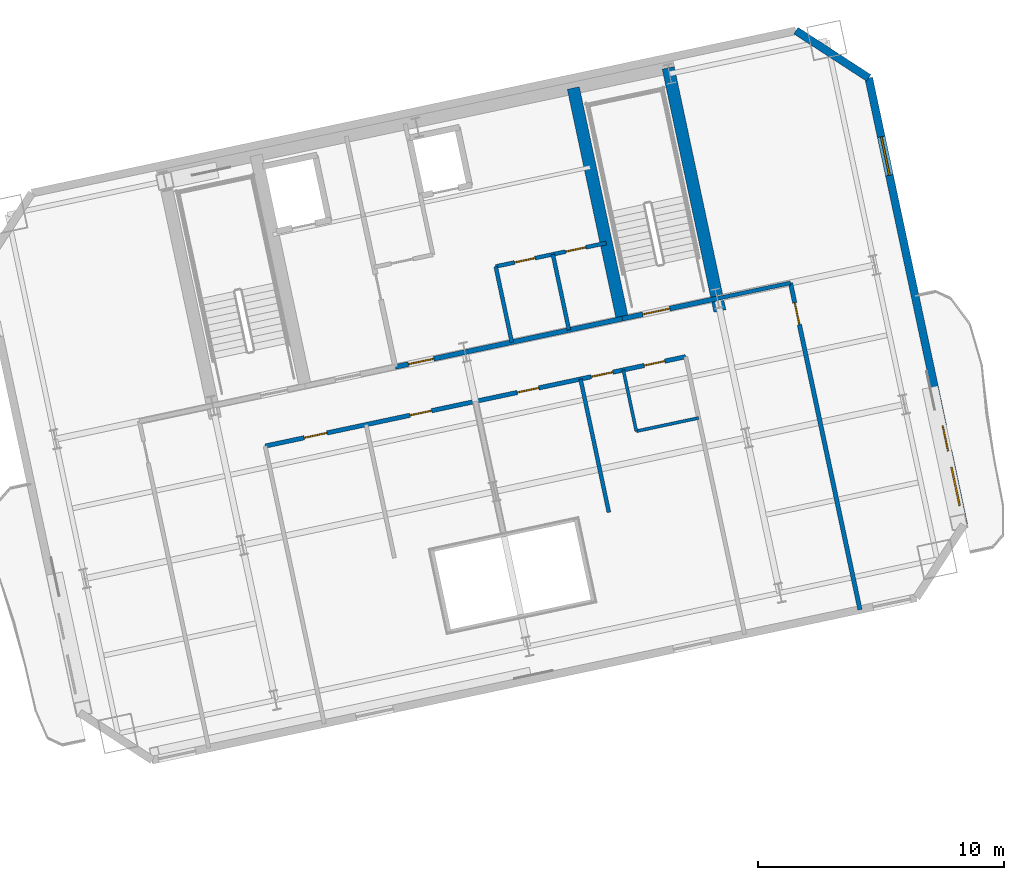
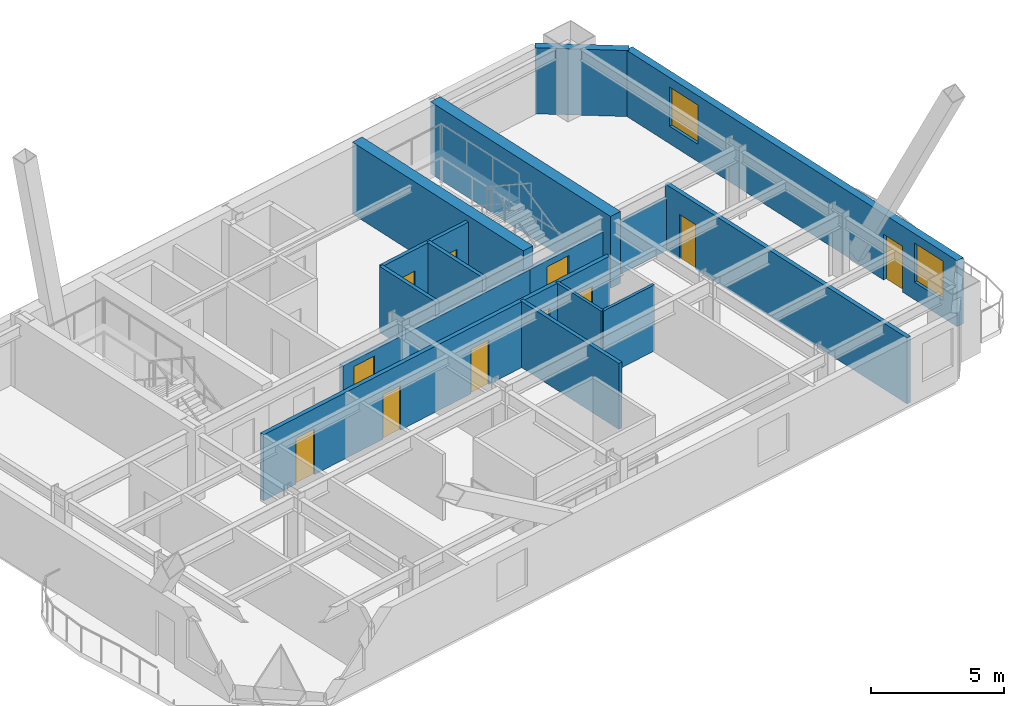
# One storey, part 9 of 14: 15 walls, 11 doors, 2 windows, 13 openings.
"""IFC4 building model written with IfcOpenShell, lengths in metres."""

from ifc_helpers import new_model, si_unit, direction, frame, frame_2d, origin, place, context, subcontext, project, spatial, rectangle, extrude, material, layer, layer_set, type_object, element, fill, save


model = new_model("IFC4")

# Units and contexts
model_context = context("Model", 3, precision=1e-05, world=origin(), true_north=direction((0.0, 1.0)))
body_context = subcontext(model_context, "Body", "Model", "MODEL_VIEW")
ifc_project = project(units=[si_unit("LENGTHUNIT", "METRE"), si_unit("AREAUNIT", "SQUARE_METRE"), si_unit("VOLUMEUNIT", "CUBIC_METRE"), si_unit("PLANEANGLEUNIT", "RADIAN"), si_unit("MASSUNIT", "GRAM", prefix="KILO")], contexts=[model_context])

# Site, building, storey
site_placement = place(None, origin())
site = spatial("IfcSite", under=ifc_project, at=site_placement, CompositionType="ELEMENT")
building_placement = place(site_placement, origin())
building = spatial("IfcBuilding", under=site, at=building_placement, Name="Haevon Station Towers", CompositionType="ELEMENT")
storey_placement = place(building_placement, frame((0.0, 0.0, 123.0)))
storey = spatial("IfcBuildingStorey", under=building, at=storey_placement, Name="L33", CompositionType="ELEMENT", Elevation=123.0)

# Wall, opening, door
ifc_material_1 = material(Name="Gypsum board on steel stud", Category="steel")
ifc_layer_1 = layer(ifc_material_1, 0.179931640625)
ifc_layer_set_1 = layer_set([ifc_layer_1], Name="Gypsum board on steel stud")
wall_type_1 = type_object("IfcWallType", Name="WL-ACU180", PredefinedType="PARTITIONING", material=ifc_layer_set_1)
wall_1_placement = place(storey_placement, frame((125.1044921875, 29.139892578125, 0.0), z_axis=(0.0, 0.0, 1.0), x_axis=(-0.207915436261, 0.978146804608, 0.0)))
wall_1 = element("IfcWall", 1, at=wall_1_placement, inside=storey, type_object=wall_type_1, Name="WL-T2PT-L33-06", PredefinedType="PARTITIONING", context=body_context, shape_type="SweptSolid", body=[
    extrude(rectangle(XDim=13.599853515625, YDim=0.179931640625, at=frame_2d((6.7998046875, 0.0))), origin(), (0.0, 0.0, 1.0), 3.030029296875),
])
opening_1_placement = place(wall_1_placement, frame((11.8701171875, 0.0, 0.0)))
opening_1 = element("IfcOpeningElement", 2, at=opening_1_placement, cuts=wall_1, Name="Opening DR-WL-T2PT-L33-06-01", PredefinedType="OPENING", context=body_context, shape_type="SweptSolid", body=[
    extrude(rectangle(XDim=0.89990234375, YDim=2.050048828125, at=frame_2d((0.449951171875, 1.02490234375))), frame((0.0, 0.099853515625, 0.0), z_axis=(0.0, -1.0, 0.0), x_axis=(1.0, 0.0, 0.0)), (0.0, 0.0, 1.0), 0.199951171875),
])
ifc_material_2 = material(Name="Engineered oak timber", Category="wood")
door_type_1 = type_object("IfcDoorType", Name="DR-INT-900", OperationType="NOTDEFINED", PredefinedType="DOOR", material=ifc_material_2)
door_1_placement = place(opening_1_placement, origin())
door_1 = element("IfcDoor", 3, at=door_1_placement, inside=storey, type_object=door_type_1, Name="L33 Tower 2 Room Door 6-1", OperationType="SINGLE_SWING_LEFT", OverallHeight=2.050048828125, OverallWidth=0.89990234375, PredefinedType="DOOR", context=body_context, shape_type="SweptSolid", body=[
    extrude(rectangle(XDim=0.89990234375, YDim=2.050048828125, at=frame_2d((0.449951171875, 1.02490234375))), frame((0.0, 0.02490234375, 0.0), z_axis=(0.0, -1.0, 0.0), x_axis=(1.0, 0.0, 0.0)), (0.0, 0.0, 1.0), 0.050048828125),
])
fill(opening_1, door_1)

# Wall, openings, doors
wall_2_placement = place(storey_placement, frame((100.890380859375, 35.801025390625, 0.0), z_axis=(0.0, 0.0, 1.0), x_axis=(0.978147538907, 0.207911981691, 0.0)))
wall_2 = element("IfcWall", 4, at=wall_2_placement, inside=storey, type_object=wall_type_1, Name="WL-T2PT-L33-18", PredefinedType="PARTITIONING", context=body_context, shape_type="SweptSolid", body=[
    extrude(rectangle(XDim=17.499755859375, YDim=0.179931640625, at=frame_2d((8.75, 0.0))), origin(), (0.0, 0.0, 1.0), 3.030029296875),
])
opening_2_placement = place(wall_2_placement, frame((1.625, 0.0, 0.0)))
opening_2 = element("IfcOpeningElement", 5, at=opening_2_placement, cuts=wall_2, Name="Opening DR-WL-T2PT-L33-18-01", PredefinedType="OPENING", context=body_context, shape_type="SweptSolid", body=[
    extrude(rectangle(XDim=0.949951171875, YDim=2.10009765625, at=frame_2d((0.47509765625, 1.050048828125))), frame((0.0, 0.099853515625, 0.0), z_axis=(0.0, -1.0, 0.0), x_axis=(1.0, 0.0, 0.0)), (0.0, 0.0, 1.0), 0.199951171875),
])
opening_3_placement = place(wall_2_placement, frame((6.02490234375, 0.0, 0.0)))
opening_3 = element("IfcOpeningElement", 6, at=opening_3_placement, cuts=wall_2, Name="Opening DR-WL-T2PT-L33-18-02", PredefinedType="OPENING", context=body_context, shape_type="SweptSolid", body=[
    extrude(rectangle(XDim=0.89990234375, YDim=2.050048828125, at=frame_2d((0.449951171875, 1.02490234375))), frame((0.0, 0.099853515625, 0.0), z_axis=(0.0, -1.0, 0.0), x_axis=(1.0, 0.0, 0.0)), (0.0, 0.0, 1.0), 0.199951171875),
])
opening_4_placement = place(wall_2_placement, frame((10.488037109375, 0.0, 0.0)))
opening_4 = element("IfcOpeningElement", 7, at=opening_4_placement, cuts=wall_2, Name="Opening DR-WL-T2PT-L33-18-03", PredefinedType="OPENING", context=body_context, shape_type="SweptSolid", body=[
    extrude(rectangle(XDim=0.89990234375, YDim=2.050048828125, at=frame_2d((0.449951171875, 1.02490234375))), frame((0.0, 0.099853515625, 0.0), z_axis=(0.0, -1.0, 0.0), x_axis=(1.0, 0.0, 0.0)), (0.0, 0.0, 1.0), 0.199951171875),
])
opening_5_placement = place(wall_2_placement, frame((15.777099609375, 0.0, 0.0)))
opening_5 = element("IfcOpeningElement", 8, at=opening_5_placement, cuts=wall_2, Name="Opening DR-WL-T2PT-L33-18-04", PredefinedType="OPENING", context=body_context, shape_type="SweptSolid", body=[
    extrude(rectangle(XDim=0.85009765625, YDim=2.050048828125, at=frame_2d((0.425048828125, 1.02490234375))), frame((0.0, 0.099853515625, 0.0), z_axis=(0.0, -1.0, 0.0), x_axis=(1.0, 0.0, 0.0)), (0.0, 0.0, 1.0), 0.199951171875),
])
opening_6_placement = place(wall_2_placement, frame((13.56494140625, 0.0, 0.0)))
opening_6 = element("IfcOpeningElement", 9, at=opening_6_placement, cuts=wall_2, Name="Opening DR-WL-T2PT-L33-18-05", PredefinedType="OPENING", context=body_context, shape_type="SweptSolid", body=[
    extrude(rectangle(XDim=0.89990234375, YDim=2.050048828125, at=frame_2d((0.449951171875, 1.02490234375))), frame((0.0, 0.099853515625, 0.0), z_axis=(0.0, -1.0, 0.0), x_axis=(1.0, 0.0, 0.0)), (0.0, 0.0, 1.0), 0.199951171875),
])
door_type_2 = type_object("IfcDoorType", Name="DR-FD30-850", OperationType="NOTDEFINED", PredefinedType="DOOR", material=ifc_material_2)
door_2_placement = place(opening_5_placement, origin())
door_2 = element("IfcDoor", 10, at=door_2_placement, inside=storey, type_object=door_type_2, Name="L33 Tower 2 Room Door 18-4", OperationType="SINGLE_SWING_LEFT", OverallHeight=2.050048828125, OverallWidth=0.85009765625, PredefinedType="DOOR", context=body_context, shape_type="SweptSolid", body=[
    extrude(rectangle(XDim=0.85009765625, YDim=2.050048828125, at=frame_2d((0.425048828125, 1.02490234375))), frame((0.0, 0.02490234375, 0.0), z_axis=(0.0, -1.0, 0.0), x_axis=(1.0, 0.0, 0.0)), (0.0, 0.0, 1.0), 0.050048828125),
])
fill(opening_5, door_2)
door_type_3 = type_object("IfcDoorType", Name="DR-FD30-950", OperationType="NOTDEFINED", PredefinedType="DOOR", material=ifc_material_2)
door_3_placement = place(opening_2_placement, origin())
door_3 = element("IfcDoor", 11, at=door_3_placement, inside=storey, type_object=door_type_3, Name="L33 Tower 2 Room Door 18-1", OperationType="SINGLE_SWING_RIGHT", OverallHeight=2.10009765625, OverallWidth=0.949951171875, PredefinedType="DOOR", context=body_context, shape_type="SweptSolid", body=[
    extrude(rectangle(XDim=0.949951171875, YDim=2.10009765625, at=frame_2d((0.47509765625, 1.050048828125))), frame((0.0, 0.02490234375, 0.0), z_axis=(0.0, -1.0, 0.0), x_axis=(1.0, 0.0, 0.0)), (0.0, 0.0, 1.0), 0.050048828125),
])
fill(opening_2, door_3)
door_4_placement = place(opening_3_placement, origin())
door_4 = element("IfcDoor", 12, at=door_4_placement, inside=storey, type_object=door_type_1, Name="L33 Tower 2 Room Door 18-2", OperationType="SINGLE_SWING_LEFT", OverallHeight=2.050048828125, OverallWidth=0.89990234375, PredefinedType="DOOR", context=body_context, shape_type="SweptSolid", body=[
    extrude(rectangle(XDim=0.89990234375, YDim=2.050048828125, at=frame_2d((0.449951171875, 1.02490234375))), frame((0.0, 0.02490234375, 0.0), z_axis=(0.0, -1.0, 0.0), x_axis=(1.0, 0.0, 0.0)), (0.0, 0.0, 1.0), 0.050048828125),
])
fill(opening_3, door_4)
door_5_placement = place(opening_4_placement, origin())
door_5 = element("IfcDoor", 13, at=door_5_placement, inside=storey, type_object=door_type_1, Name="L33 Tower 2 Room Door 18-3", OperationType="SINGLE_SWING_RIGHT", OverallHeight=2.050048828125, OverallWidth=0.89990234375, PredefinedType="DOOR", context=body_context, shape_type="SweptSolid", body=[
    extrude(rectangle(XDim=0.89990234375, YDim=2.050048828125, at=frame_2d((0.449951171875, 1.02490234375))), frame((0.0, 0.02490234375, 0.0), z_axis=(0.0, -1.0, 0.0), x_axis=(1.0, 0.0, 0.0)), (0.0, 0.0, 1.0), 0.050048828125),
])
fill(opening_4, door_5)
door_6_placement = place(opening_6_placement, origin())
door_6 = element("IfcDoor", 14, at=door_6_placement, inside=storey, type_object=door_type_1, Name="L33 Tower 2 Room Door 18-5", OperationType="SINGLE_SWING_RIGHT", OverallHeight=2.050048828125, OverallWidth=0.89990234375, PredefinedType="DOOR", context=body_context, shape_type="SweptSolid", body=[
    extrude(rectangle(XDim=0.89990234375, YDim=2.050048828125, at=frame_2d((0.449951171875, 1.02490234375))), frame((0.0, 0.02490234375, 0.0), z_axis=(0.0, -1.0, 0.0), x_axis=(1.0, 0.0, 0.0)), (0.0, 0.0, 1.0), 0.050048828125),
])
fill(opening_6, door_6)

# Wall, opening, door
ifc_layer_2 = layer(ifc_material_1, 0.199951171875)
ifc_layer_set_2 = layer_set([ifc_layer_2], Name="Gypsum board on steel stud")
wall_type_2 = type_object("IfcWallType", Name="WL-COR200", PredefinedType="PARTITIONING", material=ifc_layer_set_2)
wall_3_placement = place(storey_placement, frame((115.4296875, 40.9873046875, 0.0), z_axis=(0.0, 0.0, 1.0), x_axis=(0.978146596989, 0.207916413008, 0.0)))
wall_3 = element("IfcWall", 15, at=wall_3_placement, inside=storey, type_object=wall_type_2, Name="WL-ST-ST4-L33", PredefinedType="PARTITIONING", context=body_context, shape_type="SweptSolid", body=[
    extrude(rectangle(XDim=3.9501953125, YDim=0.199951171875, at=frame_2d((1.97509765625, 0.0))), origin(), (0.0, 0.0, 1.0), 2.3798828125),
])
opening_7_placement = place(wall_3_placement, frame((0.85009765625, 0.0, 0.0)))
opening_7 = element("IfcOpeningElement", 16, at=opening_7_placement, cuts=wall_3, Name="Opening DR-ST-ST4-L33", PredefinedType="OPENING", context=body_context, shape_type="SweptSolid", body=[
    extrude(rectangle(XDim=1.1201171875, YDim=2.10009765625, at=frame_2d((0.56005859375, 1.050048828125))), frame((0.0, 0.10986328125, 0.0), z_axis=(0.0, -1.0, 0.0), x_axis=(1.0, 0.0, 0.0)), (0.0, 0.0, 1.0), 0.219970703125),
])
door_type_4 = type_object("IfcDoorType", Name="DR-ST-1120", OperationType="NOTDEFINED", PredefinedType="DOOR", material=ifc_material_2)
door_7_placement = place(opening_7_placement, origin())
door_7 = element("IfcDoor", 17, at=door_7_placement, inside=storey, type_object=door_type_4, Name="L33 Escape Stair ST4 Fire Door", OperationType="SINGLE_SWING_LEFT", OverallHeight=2.10009765625, OverallWidth=1.1201171875, PredefinedType="DOOR", context=body_context, shape_type="SweptSolid", body=[
    extrude(rectangle(XDim=1.1201171875, YDim=2.10009765625, at=frame_2d((0.56005859375, 1.050048828125))), frame((0.0, 0.02490234375, 0.0), z_axis=(0.0, -1.0, 0.0), x_axis=(1.0, 0.0, 0.0)), (0.0, 0.0, 1.0), 0.050048828125),
])
fill(opening_7, door_7)

wall_4_placement = place(storey_placement, frame((106.186279296875, 39.0224609375, 0.0), z_axis=(0.0, 0.0, 1.0), x_axis=(0.978145519981, 0.20792147975, 0.0)))
wall_4 = element("IfcWall", 18, at=wall_4_placement, inside=storey, type_object=wall_type_2, Name="WL-T2CLB-L33", PredefinedType="PARTITIONING", context=body_context, shape_type="SweptSolid", body=[
    extrude(rectangle(XDim=9.449951171875, YDim=0.199951171875, at=frame_2d((4.72509765625, 0.0))), origin(), (0.0, 0.0, 1.0), 2.3798828125),
])
opening_8_placement = place(wall_4_placement, frame((0.550048828125, 0.0, 0.0)))
opening_8 = element("IfcOpeningElement", 19, at=opening_8_placement, cuts=wall_4, Name="Opening DR-T2CLB-L33-1", PredefinedType="OPENING", context=body_context, shape_type="SweptSolid", body=[
    extrude(rectangle(XDim=1.050048828125, YDim=2.10009765625, at=frame_2d((0.52490234375, 1.050048828125))), frame((0.0, 0.10986328125, 0.0), z_axis=(0.0, -1.0, 0.0), x_axis=(1.0, 0.0, 0.0)), (0.0, 0.0, 1.0), 0.219970703125),
])
door_type_5 = type_object("IfcDoorType", Name="DR-FD60-1050", OperationType="NOTDEFINED", PredefinedType="DOOR", material=ifc_material_2)
door_8_placement = place(opening_8_placement, origin())
door_8 = element("IfcDoor", 20, at=door_8_placement, inside=storey, type_object=door_type_5, Name="L33 Tower 2 Core Lift Lobby Door 1", OperationType="SINGLE_SWING_RIGHT", OverallHeight=2.10009765625, OverallWidth=1.050048828125, PredefinedType="DOOR", context=body_context, shape_type="SweptSolid", body=[
    extrude(rectangle(XDim=1.050048828125, YDim=2.10009765625, at=frame_2d((0.52490234375, 1.050048828125))), frame((0.0, 0.02490234375, 0.0), z_axis=(0.0, -1.0, 0.0), x_axis=(1.0, 0.0, 0.0)), (0.0, 0.0, 1.0), 0.050048828125),
])
fill(opening_8, door_8)

# Walls
ifc_material_3 = material(Name="Concrete C60/75", Category="concrete")
ifc_layer_3 = layer(ifc_material_3, 0.5)
ifc_layer_set_3 = layer_set([ifc_layer_3], Name="Concrete C60/75")
wall_type_3 = type_object("IfcWallType", Name="WL-CR500", PredefinedType="SHEAR", material=ifc_layer_set_3)
wall_5_placement = place(storey_placement, frame((119.401611328125, 41.2998046875, 0.0), z_axis=(0.0, 0.0, 1.0), x_axis=(-0.207904342798, 0.978149162575, 0.0)))
element("IfcWall", 21, at=wall_5_placement, inside=storey, type_object=wall_type_3, Name="WL-T2CR-L33-E", PredefinedType="SHEAR", context=body_context, shape_type="SweptSolid", body=[
    extrude(rectangle(XDim=10.1201171875, YDim=0.5, at=frame_2d((5.06005859375, 0.0))), origin(), (0.0, 0.0, 1.0), 3.300048828125),
])
wall_6_placement = place(storey_placement, frame((115.4296875, 40.9873046875, 0.0), z_axis=(0.0, 0.0, 1.0), x_axis=(-0.207903162969, 0.978149413345, 0.0)))
element("IfcWall", 22, at=wall_6_placement, inside=storey, type_object=wall_type_3, Name="WL-T2CR-L33-M2", PredefinedType="SHEAR", context=body_context, shape_type="SweptSolid", body=[
    extrude(rectangle(XDim=9.599853515625, YDim=0.5, at=frame_2d((4.7998046875, 0.0))), origin(), (0.0, 0.0, 1.0), 3.300048828125),
])
ifc_material_4 = material(Name="Precast concrete C45/55", Category="concrete")
ifc_layer_4 = layer(ifc_material_4, 0.320068359375)
ifc_layer_set_4 = layer_set([ifc_layer_4], Name="Precast concrete C45/55")
wall_type_4 = type_object("IfcWallType", Name="WL-EXT-PIER320", PredefinedType="SOLIDWALL", material=ifc_layer_set_4)
wall_7_placement = place(storey_placement, frame((122.496337890625, 52.712646484375, 0.0), z_axis=(0.0, 0.0, 1.0), x_axis=(0.838672309694, -0.544636352948, 0.0)))
element("IfcWall", 23, at=wall_7_placement, inside=storey, type_object=wall_type_4, Name="WL-T2-L33-NEC", PredefinedType="SOLIDWALL", context=body_context, shape_type="SweptSolid", body=[
    extrude(rectangle(XDim=3.535400390625, YDim=0.320068359375, at=frame_2d((1.767578125, 0.0))), origin(), (0.0, 0.0, 1.0), 3.030029296875),
])

# Wall, openings, door, windows
wall_8_placement = place(storey_placement, frame((125.46142578125, 50.787109375, 0.0), z_axis=(0.0, 0.0, 1.0), x_axis=(0.207912600897, -0.97814740729, 0.0)))
wall_8 = element("IfcWall", 24, at=wall_8_placement, inside=storey, type_object=wall_type_4, Name="WL-T2-L33-E", PredefinedType="SOLIDWALL", context=body_context, shape_type="SweptSolid", body=[
    extrude(rectangle(XDim=18.60009765625, YDim=0.320068359375, at=frame_2d((9.300048828125, 0.0))), origin(), (0.0, 0.0, 1.0), 3.030029296875),
])
opening_9_placement = place(wall_8_placement, frame((14.47509765625, 0.0, 0.0)))
opening_9 = element("IfcOpeningElement", 25, at=opening_9_placement, cuts=wall_8, Name="Opening DR-T2-SCAL-L33-E", PredefinedType="OPENING", context=body_context, shape_type="SweptSolid", body=[
    extrude(rectangle(XDim=1.050048828125, YDim=2.10009765625, at=frame_2d((0.52490234375, 1.050048828125))), frame((0.0, 0.169921875, 0.0), z_axis=(0.0, -1.0, 0.0), x_axis=(1.0, 0.0, 0.0)), (0.0, 0.0, 1.0), 0.340087890625),
])
opening_10_placement = place(wall_8_placement, frame((2.449951171875, 0.0, 0.800048828125)))
opening_10 = element("IfcOpeningElement", 26, at=opening_10_placement, cuts=wall_8, Name="Opening WN-END160", PredefinedType="OPENING", context=body_context, shape_type="SweptSolid", body=[
    extrude(rectangle(XDim=1.60009765625, YDim=1.800048828125, at=frame_2d((0.800048828125, 0.89990234375))), frame((0.0, 0.169921875, 0.0), z_axis=(0.0, -1.0, 0.0), x_axis=(1.0, 0.0, 0.0)), (0.0, 0.0, 1.0), 0.340087890625),
])
opening_11_placement = place(wall_8_placement, frame((16.199951171875, 0.0, 0.800048828125)))
opening_11 = element("IfcOpeningElement", 27, at=opening_11_placement, cuts=wall_8, Name="Opening WN-END160", PredefinedType="OPENING", context=body_context, shape_type="SweptSolid", body=[
    extrude(rectangle(XDim=1.60009765625, YDim=1.800048828125, at=frame_2d((0.800048828125, 0.89990234375))), frame((0.0, 0.169921875, 0.0), z_axis=(0.0, -1.0, 0.0), x_axis=(1.0, 0.0, 0.0)), (0.0, 0.0, 1.0), 0.340087890625),
])
ifc_material_5 = material(Name="Thermally broken anodised aluminium and laminated safety glass", Category="aluminium")
door_type_6 = type_object("IfcDoorType", Name="DR-BALC-1050", OperationType="NOTDEFINED", PredefinedType="DOOR", material=ifc_material_5)
door_9_placement = place(opening_9_placement, origin())
door_9 = element("IfcDoor", 28, at=door_9_placement, inside=storey, type_object=door_type_6, Name="Tower 2 L33 East Scalloped Balcony Door", OperationType="SINGLE_SWING_LEFT", OverallHeight=2.10009765625, OverallWidth=1.050048828125, PredefinedType="DOOR", context=body_context, shape_type="SweptSolid", body=[
    extrude(rectangle(XDim=1.050048828125, YDim=2.10009765625, at=frame_2d((0.52490234375, 1.050048828125))), frame((0.0, 0.02490234375, 0.0), z_axis=(0.0, -1.0, 0.0), x_axis=(1.0, 0.0, 0.0)), (0.0, 0.0, 1.0), 0.050048828125),
])
fill(opening_9, door_9)
ifc_material_6 = material(Name="Low-E triple glazing in thermally broken aluminium", Category="aluminium")
window_type = type_object("IfcWindowType", Name="WN-END160", PartitioningType="SINGLE_PANEL", PredefinedType="WINDOW", material=ifc_material_6)
window_1_placement = place(opening_10_placement, origin())
window_1 = element("IfcWindow", 29, at=window_1_placement, inside=storey, type_object=window_type, Name="WN-T2-L33-E01", OverallHeight=1.800048828125, OverallWidth=1.60009765625, PartitioningType="SINGLE_PANEL", PredefinedType="WINDOW", context=body_context, shape_type="SweptSolid", body=[
    extrude(rectangle(XDim=1.60009765625, YDim=1.800048828125, at=frame_2d((0.800048828125, 0.89990234375))), frame((0.0, 0.030029296875, 0.0), z_axis=(0.0, -1.0, 0.0), x_axis=(1.0, 0.0, 0.0)), (0.0, 0.0, 1.0), 0.06005859375),
])
fill(opening_10, window_1)
window_2_placement = place(opening_11_placement, origin())
window_2 = element("IfcWindow", 30, at=window_2_placement, inside=storey, type_object=window_type, Name="WN-T2-L33-E02", OverallHeight=1.800048828125, OverallWidth=1.60009765625, PartitioningType="SINGLE_PANEL", PredefinedType="WINDOW", context=body_context, shape_type="SweptSolid", body=[
    extrude(rectangle(XDim=1.60009765625, YDim=1.800048828125, at=frame_2d((0.800048828125, 0.89990234375))), frame((0.0, 0.030029296875, 0.0), z_axis=(0.0, -1.0, 0.0), x_axis=(1.0, 0.0, 0.0)), (0.0, 0.0, 1.0), 0.06005859375),
])
fill(opening_11, window_2)

# Walls
ifc_layer_5 = layer(ifc_material_1, 0.125)
ifc_layer_set_5 = layer_set([ifc_layer_5], Name="Gypsum board on steel stud")
wall_type_5 = type_object("IfcWallType", Name="WL-PRT125", PredefinedType="PARTITIONING", material=ifc_layer_set_5)
wall_9_placement = place(storey_placement, frame((115.999755859375, 36.40576171875, 0.0), z_axis=(0.0, 0.0, 1.0), x_axis=(0.97814665502, 0.207916140001, 0.0)))
element("IfcWall", 31, at=wall_9_placement, inside=storey, type_object=wall_type_5, Name="WL-T2PT-L33-16", PredefinedType="PARTITIONING", context=body_context, shape_type="SweptSolid", body=[
    extrude(rectangle(XDim=2.594970703125, YDim=0.125, at=frame_2d((1.29736328125, 0.0))), origin(), (0.0, 0.0, 1.0), 3.030029296875),
])
wall_10_placement = place(storey_placement, frame((115.999755859375, 36.40576171875, 0.0), z_axis=(0.0, 0.0, 1.0), x_axis=(-0.207867916886, 0.978156904147, 0.0)))
element("IfcWall", 32, at=wall_10_placement, inside=storey, type_object=wall_type_5, Name="WL-T2PT-L33-17", PredefinedType="PARTITIONING", context=body_context, shape_type="SweptSolid", body=[
    extrude(rectangle(XDim=2.5498046875, YDim=0.125, at=frame_2d((1.27490234375, 0.0))), origin(), (0.0, 0.0, 1.0), 3.030029296875),
])
ifc_layer_6 = layer(ifc_material_1, 0.159912109375)
ifc_layer_set_6 = layer_set([ifc_layer_6], Name="Gypsum board on steel stud")
wall_type_6 = type_object("IfcWallType", Name="WL-PRT160", PredefinedType="PARTITIONING", material=ifc_layer_set_6)
wall_11_placement = place(storey_placement, frame((110.93017578125, 40.031005859375, 0.0), z_axis=(0.0, 0.0, 1.0), x_axis=(-0.207877295669, 0.978154911016, 0.0)))
element("IfcWall", 33, at=wall_11_placement, inside=storey, type_object=wall_type_6, Name="WL-T2CW-L33-05", PredefinedType="PARTITIONING", context=body_context, shape_type="SweptSolid", body=[
    extrude(rectangle(XDim=3.14990234375, YDim=0.159912109375, at=frame_2d((1.574951171875, 0.0))), origin(), (0.0, 0.0, 1.0), 3.030029296875),
])
wall_12_placement = place(storey_placement, frame((113.25830078125, 40.525634765625, 0.0), z_axis=(0.0, 0.0, 1.0), x_axis=(-0.207935688634, 0.978142499533, 0.0)))
element("IfcWall", 34, at=wall_12_placement, inside=storey, type_object=wall_type_6, Name="WL-T2CW-L33-06", PredefinedType="PARTITIONING", context=body_context, shape_type="SweptSolid", body=[
    extrude(rectangle(XDim=3.150146484375, YDim=0.159912109375, at=frame_2d((1.5751953125, 0.0))), origin(), (0.0, 0.0, 1.0), 3.030029296875),
])

# Wall, openings, doors
wall_13_placement = place(storey_placement, frame((110.275390625, 43.112060546875, 0.0), z_axis=(0.0, 0.0, 1.0), x_axis=(0.978152106073, 0.207890493732, 0.0)))
wall_13 = element("IfcWall", 35, at=wall_13_placement, inside=storey, type_object=wall_type_6, Name="WL-T2CW-L33-07", PredefinedType="PARTITIONING", context=body_context, shape_type="SweptSolid", body=[
    extrude(rectangle(XDim=4.60009765625, YDim=0.159912109375, at=frame_2d((2.300048828125, 0.0))), origin(), (0.0, 0.0, 1.0), 3.030029296875),
])
opening_12_placement = place(wall_13_placement, frame((0.784912109375, 0.0, 0.0)))
opening_12 = element("IfcOpeningElement", 36, at=opening_12_placement, cuts=wall_13, Name="Opening DR-WL-T2CW-L33-07-1", PredefinedType="OPENING", context=body_context, shape_type="SweptSolid", body=[
    extrude(rectangle(XDim=0.85009765625, YDim=2.050048828125, at=frame_2d((0.425048828125, 1.02490234375))), frame((0.0, 0.08984375, 0.0), z_axis=(0.0, -1.0, 0.0), x_axis=(1.0, 0.0, 0.0)), (0.0, 0.0, 1.0), 0.179931640625),
])
opening_13_placement = place(wall_13_placement, frame((2.905029296875, 0.0, 0.0)))
opening_13 = element("IfcOpeningElement", 37, at=opening_13_placement, cuts=wall_13, Name="Opening DR-WL-T2CW-L33-07-2", PredefinedType="OPENING", context=body_context, shape_type="SweptSolid", body=[
    extrude(rectangle(XDim=0.85009765625, YDim=2.050048828125, at=frame_2d((0.425048828125, 1.02490234375))), frame((0.0, 0.08984375, 0.0), z_axis=(0.0, -1.0, 0.0), x_axis=(1.0, 0.0, 0.0)), (0.0, 0.0, 1.0), 0.179931640625),
])
door_10_placement = place(opening_12_placement, origin())
door_10 = element("IfcDoor", 38, at=door_10_placement, inside=storey, type_object=door_type_2, Name="L33 Tower 2 Core Room Door 7-1", OperationType="SINGLE_SWING_RIGHT", OverallHeight=2.050048828125, OverallWidth=0.85009765625, PredefinedType="DOOR", context=body_context, shape_type="SweptSolid", body=[
    extrude(rectangle(XDim=0.85009765625, YDim=2.050048828125, at=frame_2d((0.425048828125, 1.02490234375))), frame((0.0, 0.02490234375, 0.0), z_axis=(0.0, -1.0, 0.0), x_axis=(1.0, 0.0, 0.0)), (0.0, 0.0, 1.0), 0.050048828125),
])
fill(opening_12, door_10)
door_11_placement = place(opening_13_placement, origin())
door_11 = element("IfcDoor", 39, at=door_11_placement, inside=storey, type_object=door_type_2, Name="L33 Tower 2 Core Room Door 7-2", OperationType="SINGLE_SWING_LEFT", OverallHeight=2.050048828125, OverallWidth=0.85009765625, PredefinedType="DOOR", context=body_context, shape_type="SweptSolid", body=[
    extrude(rectangle(XDim=0.85009765625, YDim=2.050048828125, at=frame_2d((0.425048828125, 1.02490234375))), frame((0.0, 0.02490234375, 0.0), z_axis=(0.0, -1.0, 0.0), x_axis=(1.0, 0.0, 0.0)), (0.0, 0.0, 1.0), 0.050048828125),
])
fill(opening_13, door_11)

# Walls
wall_14_placement = place(storey_placement, frame((119.29345703125, 41.80859375, 0.0), z_axis=(0.0, 0.0, 1.0), x_axis=(0.978154782045, 0.207877902534, 0.0)))
element("IfcWall", 40, at=wall_14_placement, inside=storey, type_object=wall_type_6, Name="WL-T2PT-L33-04", PredefinedType="PARTITIONING", context=body_context, shape_type="SweptSolid", body=[
    extrude(rectangle(XDim=3.050048828125, YDim=0.159912109375, at=frame_2d((1.52490234375, 0.0))), origin(), (0.0, 0.0, 1.0), 2.3798828125),
])
wall_15_placement = place(storey_placement, frame((114.88232421875, 33.10107421875, 0.0), z_axis=(0.0, 0.0, 1.0), x_axis=(-0.207894531291, 0.978151247946, 0.0)))
element("IfcWall", 41, at=wall_15_placement, inside=storey, type_object=wall_type_6, Name="WL-T2PT-L33-14", PredefinedType="PARTITIONING", context=body_context, shape_type="SweptSolid", body=[
    extrude(rectangle(XDim=5.550048828125, YDim=0.159912109375, at=frame_2d((2.77490234375, 0.0))), origin(), (0.0, 0.0, 1.0), 3.030029296875),
])

save(model, "model.ifc")
